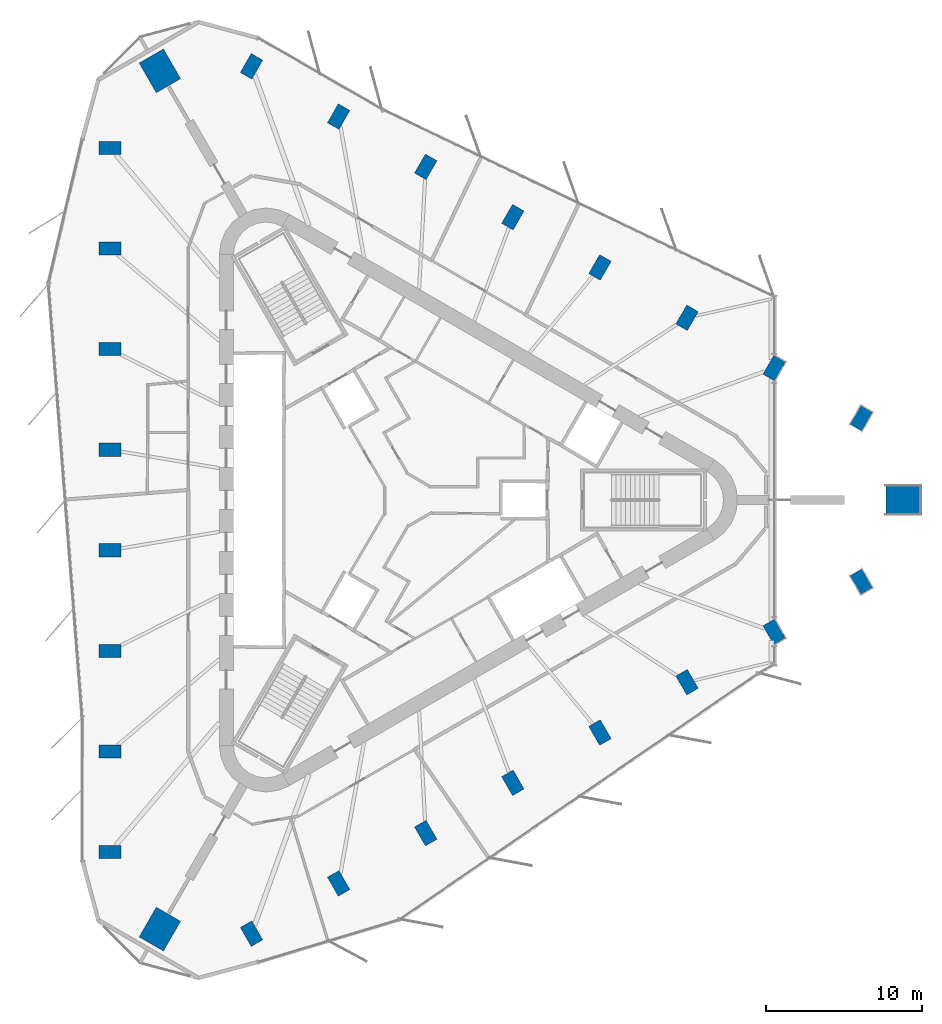
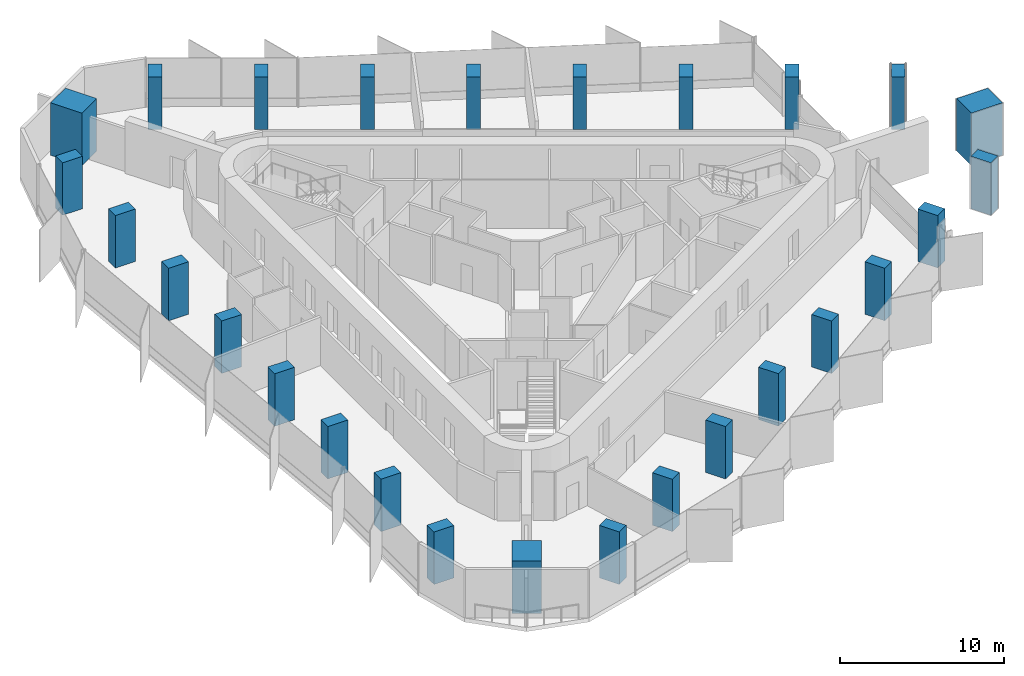
# One storey, part 1 of 12: 27 columns.
"""IFC4 building model written with IfcOpenShell, lengths in metres."""

from ifc_helpers import new_model, si_unit, direction, frame, origin, origin_2d, place, context, subcontext, project, spatial, rectangle, extrude, material, material_profile, profile_set, type_object, element, save


model = new_model("IFC4")

# Units and contexts
model_context = context("Model", 3, precision=1e-05, world=origin(), true_north=direction((0.0, 1.0)))
body_context = subcontext(model_context, "Body", "Model", "MODEL_VIEW")
ifc_project = project(units=[si_unit("LENGTHUNIT", "METRE"), si_unit("AREAUNIT", "SQUARE_METRE"), si_unit("VOLUMEUNIT", "CUBIC_METRE"), si_unit("PLANEANGLEUNIT", "RADIAN"), si_unit("MASSUNIT", "GRAM", prefix="KILO")], contexts=[model_context])

# Site, building, storey
site_placement = place(None, origin())
site = spatial("IfcSite", under=ifc_project, at=site_placement, CompositionType="ELEMENT")
building_placement = place(site_placement, origin())
building = spatial("IfcBuilding", under=site, at=building_placement, Name="Tanit Gate Tower", CompositionType="ELEMENT")
storey_placement = place(building_placement, frame((0.0, 0.0, 372.800048828125)))
storey = spatial("IfcBuildingStorey", under=building, at=storey_placement, Name="L85", CompositionType="ELEMENT", Elevation=372.800048828125)

# Columns
ifc_material_1 = material(Name="Concrete C50/60", Category="concrete")
ifc_material_profile_1 = material_profile(ifc_material_1, rectangle(XDim=2.199951171875, YDim=1.800048828125, at=origin_2d()), Name="RC 2200x1800")
ifc_profile_set_1 = profile_set([ifc_material_profile_1], Name="Concrete C50/60")
column_type_1 = type_object("IfcColumnType", Name="MEGA COLUMN 2200x1800 C50/60", PredefinedType="COLUMN", material=ifc_profile_set_1)
for number, where, z_axis, x_axis, name in (
    (1, (31.843505859375, 0.0, 0.0), (0.0, 0.0, 1.0), (1.0, 0.0, 0.0), "MEGA COLUMN"),
    (2, (-15.921875, 27.577392578125, 0.0), (0.0, 0.0, 1.0), (-0.5, 0.866025403784, 0.0), "MEGA COLUMN"),
    (3, (-15.921875, -27.577392578125, 0.0), (0.0, 0.0, 1.0), (-0.5, -0.866025403784, 0.0), "MEGA COLUMN"),
):
    element("IfcColumn", number, at=place(storey_placement, frame(where, z_axis=z_axis, x_axis=x_axis)), inside=storey, type_object=column_type_1, Name=name, PredefinedType="COLUMN", context=body_context, shape_type="SweptSolid", body=[
        extrude(rectangle(XDim=2.199951171875, YDim=1.800048828125, at=origin_2d()), origin(), (0.0, 0.0, 1.0), 3.89990234375),
    ])
ifc_material_2 = material(Name="Concrete C40/50", Category="concrete")
ifc_material_profile_2 = material_profile(ifc_material_2, rectangle(XDim=1.39990234375, YDim=0.85009765625, at=origin_2d()), Name="RC 1400x850")
ifc_profile_set_2 = profile_set([ifc_material_profile_2], Name="Concrete C40/50")
column_type_2 = type_object("IfcColumnType", Name="PERIMETER COLUMN 1400x850 C40/50", PredefinedType="COLUMN", material=ifc_profile_set_2)
for number, where, z_axis, x_axis, name in (
    (4, (-19.119873046875, 22.62353515625, 0.0), (0.0, 0.0, 1.0), (-1.0, 0.0, 0.0), "PERIMETER COLUMN"),
    (5, (-19.119873046875, 16.15966796875, 0.0), (0.0, 0.0, 1.0), (-1.0, 0.0, 0.0), "PERIMETER COLUMN"),
    (6, (-19.119873046875, 9.69580078125, 0.0), (0.0, 0.0, 1.0), (-1.0, 0.0, 0.0), "PERIMETER COLUMN"),
    (7, (-19.119873046875, 3.23193359375, 0.0), (0.0, 0.0, 1.0), (-1.0, 0.0, 0.0), "PERIMETER COLUMN"),
    (8, (-19.119873046875, -3.23193359375, 0.0), (0.0, 0.0, 1.0), (-1.0, 0.0, 0.0), "PERIMETER COLUMN"),
    (9, (-19.119873046875, -9.69580078125, 0.0), (0.0, 0.0, 1.0), (-1.0, 0.0, 0.0), "PERIMETER COLUMN"),
    (10, (-19.119873046875, -16.15966796875, 0.0), (0.0, 0.0, 1.0), (-1.0, 0.0, 0.0), "PERIMETER COLUMN"),
    (11, (-19.119873046875, -22.62353515625, 0.0), (0.0, 0.0, 1.0), (-1.0, 0.0, 0.0), "PERIMETER COLUMN"),
    (12, (29.152587890625, 5.24658203125, 0.0), (0.0, 0.0, 1.0), (0.5, 0.866025403784, 0.0), "PERIMETER COLUMN"),
    (13, (23.5546875, 8.478515625, 0.0), (0.0, 0.0, 1.0), (0.5, 0.866025403784, 0.0), "PERIMETER COLUMN"),
    (14, (17.956787109375, 11.71044921875, 0.0), (0.0, 0.0, 1.0), (0.5, 0.866025403784, 0.0), "PERIMETER COLUMN"),
    (15, (12.35888671875, 14.9423828125, 0.0), (0.0, 0.0, 1.0), (0.5, 0.866025403784, 0.0), "PERIMETER COLUMN"),
    (16, (6.760986328125, 18.17431640625, 0.0), (0.0, 0.0, 1.0), (0.5, 0.866025403784, 0.0), "PERIMETER COLUMN"),
    (17, (1.1630859375, 21.40625, 0.0), (0.0, 0.0, 1.0), (0.5, 0.866025403784, 0.0), "PERIMETER COLUMN"),
    (18, (-4.434814453125, 24.63818359375, 0.0), (0.0, 0.0, 1.0), (0.5, 0.866025403784, 0.0), "PERIMETER COLUMN"),
    (19, (-10.03271484375, 27.8701171875, 0.0), (0.0, 0.0, 1.0), (0.5, 0.866025403784, 0.0), "PERIMETER COLUMN"),
    (20, (-10.03271484375, -27.8701171875, 0.0), (0.0, 0.0, 1.0), (0.5, -0.866025403784, 0.0), "PERIMETER COLUMN"),
    (21, (-4.434814453125, -24.63818359375, 0.0), (0.0, 0.0, 1.0), (0.5, -0.866025403784, 0.0), "PERIMETER COLUMN"),
    (22, (1.1630859375, -21.40625, 0.0), (0.0, 0.0, 1.0), (0.5, -0.866025403784, 0.0), "PERIMETER COLUMN"),
    (23, (6.760986328125, -18.17431640625, 0.0), (0.0, 0.0, 1.0), (0.5, -0.866025403784, 0.0), "PERIMETER COLUMN"),
    (24, (12.35888671875, -14.9423828125, 0.0), (0.0, 0.0, 1.0), (0.5, -0.866025403784, 0.0), "PERIMETER COLUMN"),
    (25, (17.956787109375, -11.71044921875, 0.0), (0.0, 0.0, 1.0), (0.5, -0.866025403784, 0.0), "PERIMETER COLUMN"),
    (26, (23.5546875, -8.478515625, 0.0), (0.0, 0.0, 1.0), (0.5, -0.866025403784, 0.0), "PERIMETER COLUMN"),
    (27, (29.152587890625, -5.24658203125, 0.0), (0.0, 0.0, 1.0), (0.5, -0.866025403784, 0.0), "PERIMETER COLUMN"),
):
    element("IfcColumn", number, at=place(storey_placement, frame(where, z_axis=z_axis, x_axis=x_axis)), inside=storey, type_object=column_type_2, Name=name, PredefinedType="COLUMN", context=body_context, shape_type="SweptSolid", body=[
        extrude(rectangle(XDim=1.39990234375, YDim=0.85009765625, at=origin_2d()), origin(), (0.0, 0.0, 1.0), 3.89990234375),
    ])

save(model, "model.ifc")
